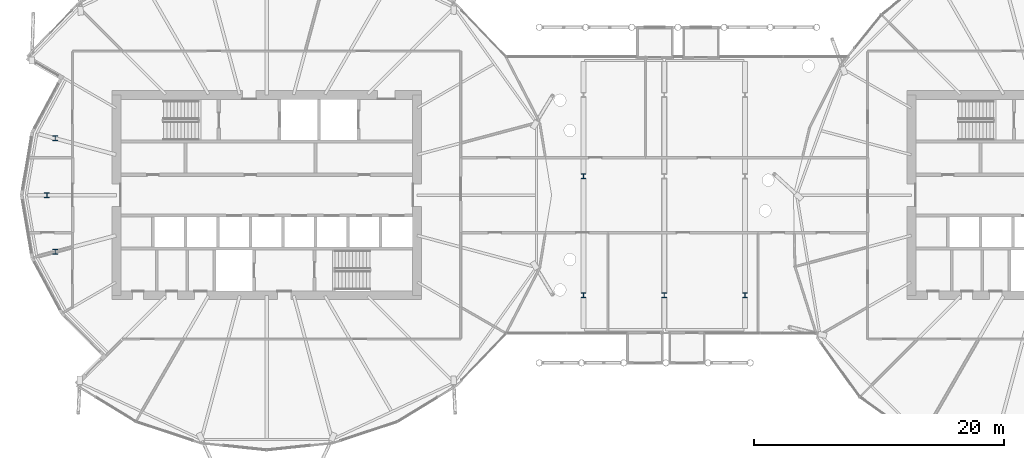
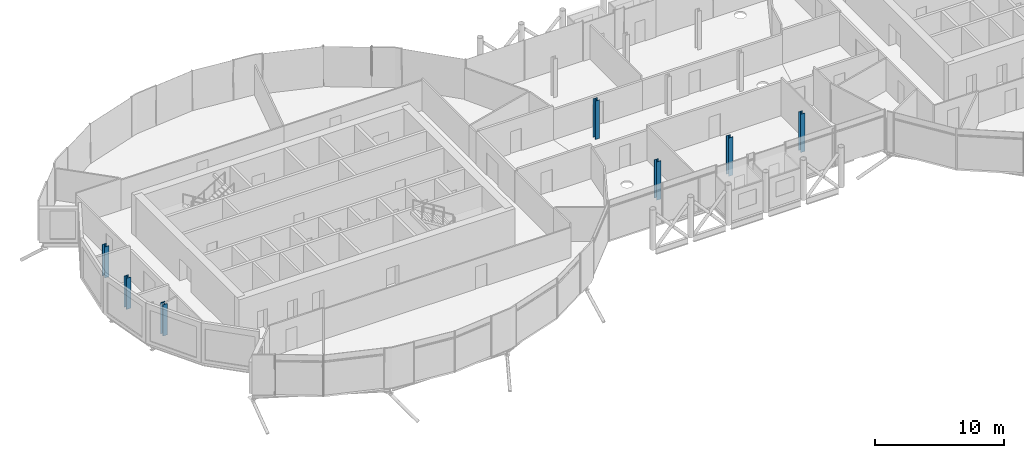
# One storey, part 1 of 39: 7 columns.
"""IFC4 building model written with IfcOpenShell, lengths in metres."""

from ifc_helpers import new_model, si_unit, direction, frame, origin, origin_2d, place, context, subcontext, project, spatial, i_section, extrude, material, material_profile, profile_set, type_object, element, save


model = new_model("IFC4")

# Units and contexts
model_context = context("Model", 3, precision=1e-05, world=origin(), true_north=direction((0.0, 1.0)))
body_context = subcontext(model_context, "Body", "Model", "MODEL_VIEW")
ifc_project = project(units=[si_unit("LENGTHUNIT", "METRE"), si_unit("AREAUNIT", "SQUARE_METRE"), si_unit("VOLUMEUNIT", "CUBIC_METRE"), si_unit("PLANEANGLEUNIT", "RADIAN"), si_unit("MASSUNIT", "GRAM", prefix="KILO")], contexts=[model_context])

# Site, building, storey
site_placement = place(None, origin())
site = spatial("IfcSite", under=ifc_project, at=site_placement, CompositionType="ELEMENT")
building_placement = place(site_placement, origin())
building = spatial("IfcBuilding", under=site, at=building_placement, Name="Rimbun Link Towers", CompositionType="ELEMENT")
storey_placement = place(building_placement, frame((0.0, 0.0, 143.0)))
storey = spatial("IfcBuildingStorey", under=building, at=storey_placement, Name="L34", CompositionType="ELEMENT", Elevation=143.0)

# Columns
ifc_material_1 = material(Name="Steel S355J2", Category="steel")
ifc_material_profile_1 = material_profile(ifc_material_1, i_section(OverallWidth=0.374755859375, OverallDepth=0.37451171875, WebThickness=0.0166015625, FlangeThickness=0.027099609375, at=origin_2d()), Name="UKC 356x368x202")
ifc_profile_set_1 = profile_set([ifc_material_profile_1], Name="Steel S355J2")
column_type_1 = type_object("IfcColumnType", Name="Link column UKC 356x368x202", PredefinedType="COLUMN", material=ifc_profile_set_1)
for number, where, z_axis, x_axis, name in (
    (1, (-6.449951171875, -8.0, 0.0), (0.0, 0.0, 1.0), (1.0, 0.0, 0.0), "Link column L34 1-1"),
    (2, (-6.449951171875, 1.5, 0.0), (0.0, 0.0, 1.0), (1.0, 0.0, 0.0), "Link column L34 2-1"),
    (3, (0.0, -8.0, 0.0), (0.0, 0.0, 1.0), (1.0, 0.0, 0.0), "Link column L34 1-2"),
    (4, (6.449951171875, -8.0, 0.0), (0.0, 0.0, 1.0), (1.0, 0.0, 0.0), "Link column L34 1-3"),
):
    element("IfcColumn", number, at=place(storey_placement, frame(where, z_axis=z_axis, x_axis=x_axis)), inside=storey, type_object=column_type_1, Name=name, PredefinedType="COLUMN", context=body_context, shape_type="SweptSolid", body=[
        extrude(i_section(OverallWidth=0.374755859375, OverallDepth=0.37451171875, WebThickness=0.0166015625, FlangeThickness=0.027099609375, at=origin_2d()), origin(), (0.0, 0.0, 1.0), 3.639892578125),
    ])
ifc_material_2 = material(Name="Steel S355J2", Category="steel")
ifc_material_profile_2 = material_profile(ifc_material_2, i_section(OverallWidth=0.39892578125, OverallDepth=0.3935546875, WebThickness=0.022705078125, FlangeThickness=0.03662109375, at=origin_2d()), Name="UC 356x406x287")
ifc_profile_set_2 = profile_set([ifc_material_profile_2], Name="Steel S355J2")
column_type_2 = type_object("IfcColumnType", Name="UC 356x406x287", PredefinedType="COLUMN", material=ifc_profile_set_2)
for number, where, z_axis, x_axis, name in (
    (5, (-48.638916015625, 4.525390625, -0.179931640625), (0.0, 0.0, 1.0), (1.0, 0.0, 0.0), "Crease post T1 L34 11"),
    (6, (-49.298095703125, 0.0, -0.179931640625), (0.0, 0.0, 1.0), (1.0, 0.0, 0.0), "Crease post T1 L34 12"),
    (7, (-48.638916015625, -4.525390625, -0.179931640625), (0.0, 0.0, 1.0), (1.0, 0.0, 0.0), "Crease post T1 L34 13"),
):
    element("IfcColumn", number, at=place(storey_placement, frame(where, z_axis=z_axis, x_axis=x_axis)), inside=storey, type_object=column_type_2, Name=name, PredefinedType="COLUMN", context=body_context, shape_type="SweptSolid", body=[
        extrude(i_section(OverallWidth=0.39892578125, OverallDepth=0.3935546875, WebThickness=0.022705078125, FlangeThickness=0.03662109375, at=origin_2d()), origin(), (0.0, 0.0, 1.0), 2.959228515625),
    ])

save(model, "model.ifc")
